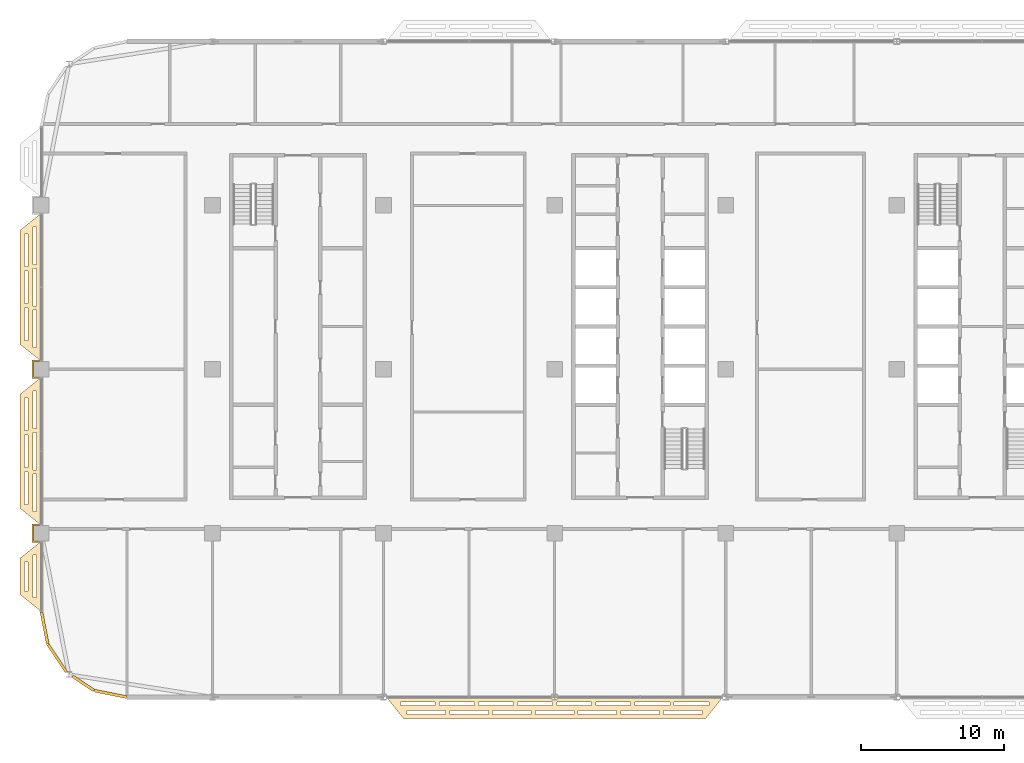
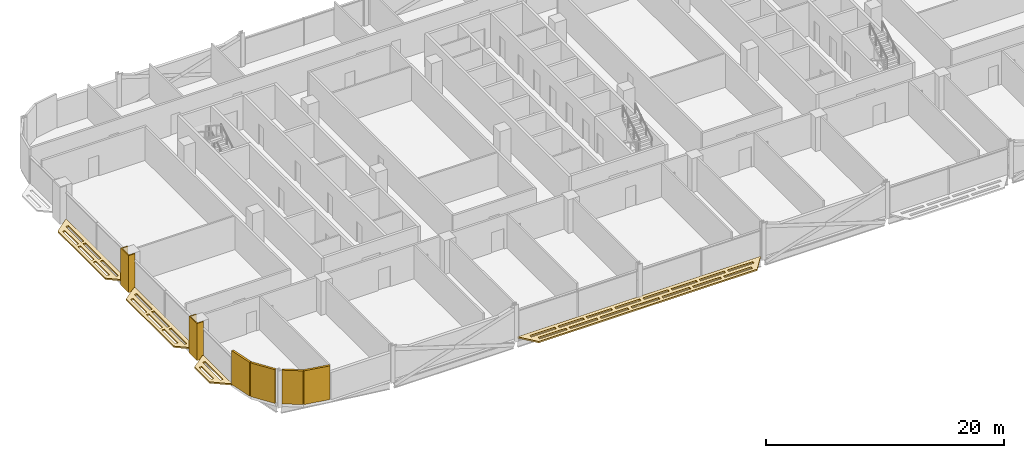
# One storey, part 25 of 30: 10 coverings.
"""IFC4 building model written with IfcOpenShell, lengths in metres."""

from ifc_helpers import new_model, si_unit, direction, frame, origin, origin_2d, place, context, subcontext, project, spatial, polyline, rectangle, outline, extrude, material, layer, layer_set, type_object, element, save


model = new_model("IFC4")

# Units and contexts
model_context = context("Model", 3, precision=1e-05, world=origin(), true_north=direction((0.0, 1.0)))
body_context = subcontext(model_context, "Body", "Model", "MODEL_VIEW")
ifc_project = project(units=[si_unit("LENGTHUNIT", "METRE"), si_unit("AREAUNIT", "SQUARE_METRE"), si_unit("VOLUMEUNIT", "CUBIC_METRE"), si_unit("PLANEANGLEUNIT", "RADIAN"), si_unit("MASSUNIT", "GRAM", prefix="KILO")], contexts=[model_context])

# Site, building, storey
site_placement = place(None, origin())
site = spatial("IfcSite", under=ifc_project, at=site_placement, CompositionType="ELEMENT")
building_placement = place(site_placement, origin())
building = spatial("IfcBuilding", under=site, at=building_placement, Name="Mahtab Terrace Research Tower", CompositionType="ELEMENT")
storey_placement = place(building_placement, frame((0.0, 0.0, 201.5)))
storey = spatial("IfcBuildingStorey", under=building, at=storey_placement, Name="L48", CompositionType="ELEMENT", Elevation=201.5)

# Coverings
ifc_material_1 = material(Name="Black aluminium cladding panel", Category="aluminium")
ifc_layer_1 = layer(ifc_material_1, 0.199951171875)
ifc_layer_set_1 = layer_set([ifc_layer_1], Name="Black metal corner cladding 200")
covering_type_1 = type_object("IfcCoveringType", Name="Black metal corner cladding 200", PredefinedType="CLADDING", material=ifc_layer_set_1)
for number, where, z_axis, x_axis, name in (
    (1, (-41.771484375, -18.14794921875, 0.0), (0.0, 0.0, 1.0), (0.195212442692, -0.980760981187, 0.0), "Corner cladding L48 19"),
    (2, (-40.89306640625, -20.26953125, 0.0), (0.0, 0.0, 1.0), (0.555291490808, -0.831655794326, 0.0), "Corner cladding L48 20"),
):
    element("IfcCovering", number, at=place(storey_placement, frame(where, z_axis=z_axis, x_axis=x_axis)), inside=storey, type_object=covering_type_1, Name=name, PredefinedType="CLADDING", context=body_context, shape_type="SweptSolid", body=[
        extrude(rectangle(XDim=2.30126953125, YDim=0.199951171875, at=origin_2d()), origin(), (0.0, 0.0, 1.0), 3.4599609375),
    ])
covering_1_placement = place(storey_placement, frame((-39.059814453125, -22.032958984375, 0.0), z_axis=(0.0, 0.0, 1.0), x_axis=(0.831655794326, -0.555291490808, 0.0)))
element("IfcCovering", 3, at=covering_1_placement, inside=storey, type_object=covering_type_1, Name="Corner cladding L48 21", PredefinedType="CLADDING", context=body_context, shape_type="SweptSolid", body=[
    extrude(rectangle(XDim=1.797119140625, YDim=0.199951171875, at=origin_2d()), origin(), (0.0, 0.0, 1.0), 3.4599609375),
])
covering_2_placement = place(storey_placement, frame((-37.14794921875, -22.771484375, 0.0), z_axis=(0.0, 0.0, 1.0), x_axis=(0.980760981187, -0.195212442692, 0.0)))
element("IfcCovering", 4, at=covering_2_placement, inside=storey, type_object=covering_type_1, Name="Corner cladding L48 22", PredefinedType="CLADDING", context=body_context, shape_type="SweptSolid", body=[
    extrude(rectangle(XDim=2.30126953125, YDim=0.199951171875, at=origin_2d()), origin(), (0.0, 0.0, 1.0), 3.4599609375),
])
ifc_material_2 = material(Name="Dark anodised aluminium cladding", Category="aluminium")
ifc_layer_2 = layer(ifc_material_2, 0.10009765625)
ifc_layer_set_2 = layer_set([ifc_layer_2], Name="Column casing 100")
covering_type_2 = type_object("IfcCoveringType", Name="Column casing 100", PredefinedType="CLADDING", material=ifc_layer_set_2)
covering_3_placement = place(storey_placement, frame((0.0, 0.0, -0.340087890625)))
element("IfcCovering", 5, at=covering_3_placement, inside=storey, type_object=covering_type_2, Name="Column casing RC-1A L48", PredefinedType="CLADDING", context=body_context, shape_type="SweptSolid", body=[
    extrude(outline(polyline([(-42.64990234375, -10.85009765625), (-42.0, -10.85009765625), (-42.0, -10.949951171875), (-42.550048828125, -10.949951171875), (-42.550048828125, -12.050048828125), (-42.0, -12.050048828125), (-42.0, -12.14990234375), (-42.64990234375, -12.14990234375), (-42.64990234375, -10.85009765625)])), origin(), (0.0, 0.0, 1.0), 3.800048828125),
])
covering_4_placement = place(storey_placement, frame((0.0, 0.0, -0.340087890625)))
element("IfcCovering", 6, at=covering_4_placement, inside=storey, type_object=covering_type_2, Name="Column casing RC-1B L48", PredefinedType="CLADDING", context=body_context, shape_type="SweptSolid", body=[
    extrude(outline(polyline([(-42.64990234375, 0.64990234375), (-42.0, 0.64990234375), (-42.0, 0.550048828125), (-42.550048828125, 0.550048828125), (-42.550048828125, -0.550048828125), (-42.0, -0.550048828125), (-42.0, -0.64990234375), (-42.64990234375, -0.64990234375), (-42.64990234375, 0.64990234375)])), origin(), (0.0, 0.0, 1.0), 3.800048828125),
])
ifc_material_3 = material(Name="Black anodised aluminium", Category="aluminium")
ifc_layer_3 = layer(ifc_material_3, 0.14990234375)
ifc_layer_set_3 = layer_set([ifc_layer_3], Name="Horizontal sunshade band")
covering_type_3 = type_object("IfcCoveringType", Name="Horizontal sunshade band", PredefinedType="CLADDING", material=ifc_layer_set_3)
covering_5_placement = place(storey_placement, frame((0.0, 0.0, -0.14990234375)))
element("IfcCovering", 7, at=covering_5_placement, inside=storey, type_object=covering_type_3, Name="Sunshade band L48 16", PredefinedType="CLADDING", context=body_context, shape_type="SweptSolid", body=[
    extrude(outline(polyline([(-42.0, 10.949951171875), (-42.0, 0.550048828125), (-43.5, 1.75), (-43.5, 9.75), (-42.0, 10.949951171875)]), holes=[polyline([(-42.35009765625, 9.969970703125), (-42.35009765625, 7.35693359375), (-42.60009765625, 7.35693359375), (-42.60009765625, 9.969970703125), (-42.35009765625, 9.969970703125)]), polyline([(-42.35009765625, 7.056884765625), (-42.35009765625, 4.443115234375), (-42.60009765625, 4.443115234375), (-42.60009765625, 7.056884765625), (-42.35009765625, 7.056884765625)]), polyline([(-42.35009765625, 4.14306640625), (-42.35009765625, 1.530029296875), (-42.60009765625, 1.530029296875), (-42.60009765625, 4.14306640625), (-42.35009765625, 4.14306640625)]), polyline([(-42.949951171875, 9.489990234375), (-42.949951171875, 7.197021484375), (-43.199951171875, 7.197021484375), (-43.199951171875, 9.489990234375), (-42.949951171875, 9.489990234375)]), polyline([(-42.949951171875, 6.89697265625), (-42.949951171875, 4.60302734375), (-43.199951171875, 4.60302734375), (-43.199951171875, 6.89697265625), (-42.949951171875, 6.89697265625)]), polyline([(-42.949951171875, 4.302978515625), (-42.949951171875, 2.010009765625), (-43.199951171875, 2.010009765625), (-43.199951171875, 4.302978515625), (-42.949951171875, 4.302978515625)])]), origin(), (0.0, 0.0, 1.0), 0.14990234375),
])
covering_6_placement = place(storey_placement, frame((0.0, 0.0, -0.14990234375)))
element("IfcCovering", 8, at=covering_6_placement, inside=storey, type_object=covering_type_3, Name="Sunshade band L48 17", PredefinedType="CLADDING", context=body_context, shape_type="SweptSolid", body=[
    extrude(outline(polyline([(-42.0, -0.550048828125), (-42.0, -10.949951171875), (-43.5, -9.75), (-43.5, -1.75), (-42.0, -0.550048828125)]), holes=[polyline([(-42.35009765625, -1.530029296875), (-42.35009765625, -4.14306640625), (-42.60009765625, -4.14306640625), (-42.60009765625, -1.530029296875), (-42.35009765625, -1.530029296875)]), polyline([(-42.35009765625, -4.443115234375), (-42.35009765625, -7.056884765625), (-42.60009765625, -7.056884765625), (-42.60009765625, -4.443115234375), (-42.35009765625, -4.443115234375)]), polyline([(-42.35009765625, -7.35693359375), (-42.35009765625, -9.969970703125), (-42.60009765625, -9.969970703125), (-42.60009765625, -7.35693359375), (-42.35009765625, -7.35693359375)]), polyline([(-42.949951171875, -2.010009765625), (-42.949951171875, -4.302978515625), (-43.199951171875, -4.302978515625), (-43.199951171875, -2.010009765625), (-42.949951171875, -2.010009765625)]), polyline([(-42.949951171875, -4.60302734375), (-42.949951171875, -6.89697265625), (-43.199951171875, -6.89697265625), (-43.199951171875, -4.60302734375), (-42.949951171875, -4.60302734375)]), polyline([(-42.949951171875, -7.197021484375), (-42.949951171875, -9.489990234375), (-43.199951171875, -9.489990234375), (-43.199951171875, -7.197021484375), (-42.949951171875, -7.197021484375)])]), origin(), (0.0, 0.0, 1.0), 0.14990234375),
])
covering_7_placement = place(storey_placement, frame((0.0, 0.0, -0.14990234375)))
element("IfcCovering", 9, at=covering_7_placement, inside=storey, type_object=covering_type_3, Name="Sunshade band L48 18", PredefinedType="CLADDING", context=body_context, shape_type="SweptSolid", body=[
    extrude(outline(polyline([(-42.0, -12.050048828125), (-42.0, -17.0), (-43.5, -15.800048828125), (-43.5, -13.25), (-42.0, -12.050048828125)]), holes=[polyline([(-42.35009765625, -13.030029296875), (-42.35009765625, -16.02001953125), (-42.60009765625, -16.02001953125), (-42.60009765625, -13.030029296875), (-42.35009765625, -13.030029296875)]), polyline([(-42.949951171875, -13.510009765625), (-42.949951171875, -15.5400390625), (-43.199951171875, -15.5400390625), (-43.199951171875, -13.510009765625), (-42.949951171875, -13.510009765625)])]), origin(), (0.0, 0.0, 1.0), 0.14990234375),
])
covering_8_placement = place(storey_placement, frame((0.0, 0.0, -0.14990234375)))
element("IfcCovering", 10, at=covering_8_placement, inside=storey, type_object=covering_type_3, Name="Sunshade band L48 25", PredefinedType="CLADDING", context=body_context, shape_type="SweptSolid", body=[
    extrude(outline(polyline([(-17.800048828125, -23.0), (5.800048828125, -23.0), (4.60009765625, -24.5), (-16.60009765625, -24.5), (-17.800048828125, -23.0)]), holes=[polyline([(-16.820068359375, -23.35009765625), (-14.3779296875, -23.35009765625), (-14.3779296875, -23.60009765625), (-16.820068359375, -23.60009765625), (-16.820068359375, -23.35009765625)]), polyline([(-14.077880859375, -23.35009765625), (-11.635009765625, -23.35009765625), (-11.635009765625, -23.60009765625), (-14.077880859375, -23.60009765625), (-14.077880859375, -23.35009765625)]), polyline([(-11.3349609375, -23.35009765625), (-8.89306640625, -23.35009765625), (-8.89306640625, -23.60009765625), (-11.3349609375, -23.60009765625), (-11.3349609375, -23.35009765625)]), polyline([(-8.593017578125, -23.35009765625), (-6.14990234375, -23.35009765625), (-6.14990234375, -23.60009765625), (-8.593017578125, -23.60009765625), (-8.593017578125, -23.35009765625)]), polyline([(-5.85009765625, -23.35009765625), (-3.406982421875, -23.35009765625), (-3.406982421875, -23.60009765625), (-5.85009765625, -23.60009765625), (-5.85009765625, -23.35009765625)]), polyline([(-3.10791015625, -23.35009765625), (-0.6650390625, -23.35009765625), (-0.6650390625, -23.60009765625), (-3.10791015625, -23.60009765625), (-3.10791015625, -23.35009765625)]), polyline([(-0.364990234375, -23.35009765625), (2.077880859375, -23.35009765625), (2.077880859375, -23.60009765625), (-0.364990234375, -23.60009765625), (-0.364990234375, -23.35009765625)]), polyline([(2.376953125, -23.35009765625), (4.820068359375, -23.35009765625), (4.820068359375, -23.60009765625), (2.376953125, -23.60009765625), (2.376953125, -23.35009765625)]), polyline([(-16.340087890625, -23.949951171875), (-13.64306640625, -23.949951171875), (-13.64306640625, -24.199951171875), (-16.340087890625, -24.199951171875), (-16.340087890625, -23.949951171875)]), polyline([(-13.343017578125, -23.949951171875), (-10.64599609375, -23.949951171875), (-10.64599609375, -24.199951171875), (-13.343017578125, -24.199951171875), (-13.343017578125, -23.949951171875)]), polyline([(-10.345947265625, -23.949951171875), (-7.64892578125, -23.949951171875), (-7.64892578125, -24.199951171875), (-10.345947265625, -24.199951171875), (-10.345947265625, -23.949951171875)]), polyline([(-7.34912109375, -23.949951171875), (-4.65087890625, -23.949951171875), (-4.65087890625, -24.199951171875), (-7.34912109375, -24.199951171875), (-7.34912109375, -23.949951171875)]), polyline([(-4.35107421875, -23.949951171875), (-1.654052734375, -23.949951171875), (-1.654052734375, -24.199951171875), (-4.35107421875, -24.199951171875), (-4.35107421875, -23.949951171875)]), polyline([(-1.35400390625, -23.949951171875), (1.343017578125, -23.949951171875), (1.343017578125, -24.199951171875), (-1.35400390625, -24.199951171875), (-1.35400390625, -23.949951171875)]), polyline([(1.64306640625, -23.949951171875), (4.340087890625, -23.949951171875), (4.340087890625, -24.199951171875), (1.64306640625, -24.199951171875), (1.64306640625, -23.949951171875)])]), origin(), (0.0, 0.0, 1.0), 0.14990234375),
])

save(model, "model.ifc")
